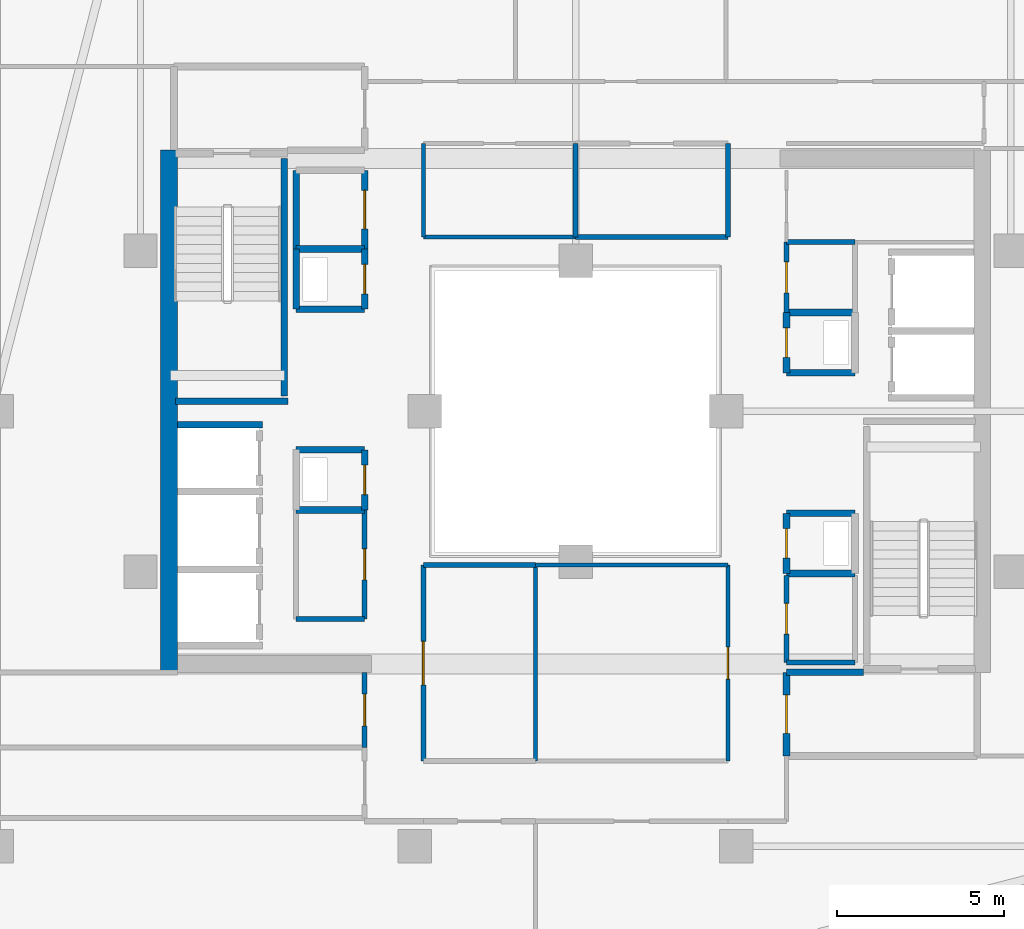
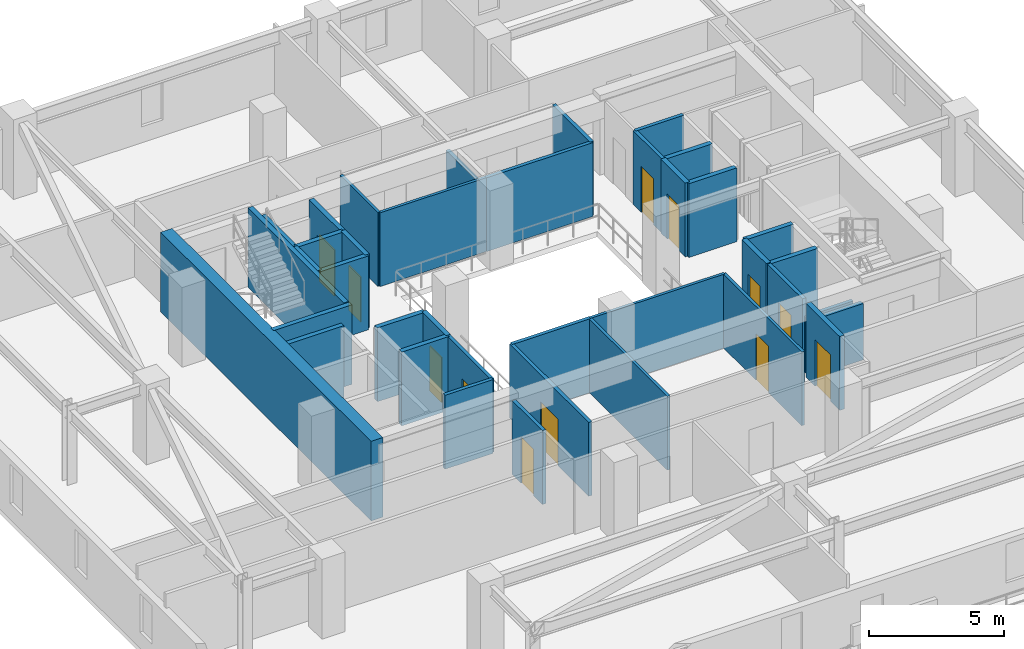
# One storey, part 24 of 33: 38 walls, 12 doors, 12 openings.
"""IFC4 building model written with IfcOpenShell, lengths in metres."""

import ifcopenshell
import ifcopenshell.guid

model = None  # the IFC model being written
_history = None  # IfcOwnerHistory: only IFC2X3 demands one
_inside = {}  # id of a spatial element -> (the spatial element, [elements in it])
_under = {}  # id of a project, library or spatial element -> (it, [spatial elements below it])
_declared = {}  # id of a project -> (the project, [libraries it declares])
_typed = {}  # id of a type object -> (the type object, [elements of that type])
_made_of = {}  # id of a material, layer set ... -> (it, [elements and type objects made of it])


def new_model(schema):
    """Start an empty IFC model of exactly this schema.

    Asked for "IFC4X3", IfcOpenShell would pick the latest addendum, in which some entities
    have other attributes; the version numbers below select the first issue.
    IFC2X3 requires an IfcOwnerHistory on every rooted entity: one is made here for all.
    """
    global model, _history
    if schema == "IFC4X3":
        model = ifcopenshell.file(schema_version=(4, 3, 0, 0))
    else:
        model = ifcopenshell.file(schema=schema)
    _inside.clear()
    _under.clear()
    _declared.clear()
    _typed.clear()
    _made_of.clear()
    _history = None
    if model.schema == "IFC2X3":
        org = make("IfcOrganization", Name="unknown")
        user = make(
            "IfcPersonAndOrganization",
            ThePerson=make("IfcPerson", FamilyName="unknown"),
            TheOrganization=org,
        )
        app = make(
            "IfcApplication",
            ApplicationDeveloper=org,
            Version="unknown",
            ApplicationFullName="unknown",
            ApplicationIdentifier="unknown",
        )
        _history = make(
            "IfcOwnerHistory",
            OwningUser=user,
            OwningApplication=app,
            ChangeAction="ADDED",
            CreationDate=0,
        )
    return model


def make(cls, **values):
    """One entity of the class cls with the attributes given. An attribute that is None is left unset."""
    return model.create_entity(
        cls, **{name: value for name, value in values.items() if value is not None}
    )


def rooted(cls, **values):
    """An entity with a GlobalId (a new one), such as an element, a storey or a relation."""
    return make(cls, GlobalId=ifcopenshell.guid.new(), OwnerHistory=_history, **values)


def si_unit(unit_type, name, prefix=None):
    """IfcSIUnit, for example si_unit("LENGTHUNIT", "METRE", prefix="MILLI")."""
    return make("IfcSIUnit", UnitType=unit_type, Prefix=prefix, Name=name)


def assignment(units):
    """IfcUnitAssignment: the units of a project."""
    return None if units is None else make("IfcUnitAssignment", Units=units)


def point(xyz):
    """IfcCartesianPoint."""
    return None if xyz is None else make("IfcCartesianPoint", Coordinates=xyz)


def direction(xyz):
    """IfcDirection."""
    return None if xyz is None else make("IfcDirection", DirectionRatios=xyz)


def frame(location, z_axis=None, x_axis=None):
    """IfcAxis2Placement3D, a coordinate frame: its origin and axes. An axis left out is left unset."""
    return make(
        "IfcAxis2Placement3D",
        Location=point(location),
        Axis=direction(z_axis),
        RefDirection=direction(x_axis),
    )


def frame_2d(location, x_axis=None):
    """IfcAxis2Placement2D, a coordinate frame in the plane: its origin and x axis."""
    return make(
        "IfcAxis2Placement2D", Location=point(location), RefDirection=direction(x_axis)
    )


def origin():
    """The frame at (0, 0, 0) with its axes left unset."""
    return frame((0.0, 0.0, 0.0))


def place(relative_to, where):
    """IfcLocalPlacement: puts the frame where relative to a parent placement (None: the world)."""
    return make(
        "IfcLocalPlacement", PlacementRelTo=relative_to, RelativePlacement=where
    )


def context(
    kind, dimensions, precision=None, world=None, true_north=None, identifier=None
):
    """IfcGeometricRepresentationContext, for example the 3D "Model" context."""
    return make(
        "IfcGeometricRepresentationContext",
        ContextIdentifier=identifier,
        ContextType=kind,
        CoordinateSpaceDimension=dimensions,
        Precision=precision,
        WorldCoordinateSystem=world,
        TrueNorth=true_north,
    )


def subcontext(parent, identifier, kind, view, scale=None):
    """IfcGeometricRepresentationSubContext, for example "Body" below "Model"."""
    return make(
        "IfcGeometricRepresentationSubContext",
        ContextIdentifier=identifier,
        ContextType=kind,
        ParentContext=parent,
        TargetScale=scale,
        TargetView=view,
    )


def project(units=None, contexts=None):
    """IfcProject with its units and contexts."""
    return rooted(
        "IfcProject",
        Name="project",
        RepresentationContexts=contexts,
        UnitsInContext=assignment(units),
    )


def spatial(cls, under=None, at=None, **own):
    """A site, building, storey or space (cls), placed at a placement, below another one or the project."""
    s = rooted(cls, ObjectPlacement=at, **own)
    if under is not None:
        _under.setdefault(under.id(), (under, []))[1].append(s)
    return s


def profile(cls, at=None, kind="AREA", **sizes):
    """A parametric profile (cls). Its sizes go by their IFC names, for example OverallWidth=200.0."""
    return make(cls, ProfileType=kind, Position=at, **sizes)


def rectangle(**sizes):
    """IfcRectangleProfileDef."""
    return profile("IfcRectangleProfileDef", **sizes)


def extrude(swept, where, along, depth):
    """IfcExtrudedAreaSolid: the profile swept, set in the frame where, extruded along a direction by depth."""
    return make(
        "IfcExtrudedAreaSolid",
        SweptArea=swept,
        Position=where,
        ExtrudedDirection=direction(along),
        Depth=depth,
    )


def shape(context_of_items, identifier, shape_type, items):
    """IfcShapeRepresentation: the items that make up one representation, for example the "Body"."""
    return make(
        "IfcShapeRepresentation",
        ContextOfItems=context_of_items,
        RepresentationIdentifier=identifier,
        RepresentationType=shape_type,
        Items=items,
    )


def material(Name=None, Category=None):
    """IfcMaterial."""
    return make("IfcMaterial", Name=Name, Category=Category)


def layer(
    of_material, thickness, ventilated=None, Name=None, Category=None, Priority=None
):
    """IfcMaterialLayer: one layer of a wall or slab, of a material (None: an air gap)."""
    return make(
        "IfcMaterialLayer",
        Material=of_material,
        LayerThickness=thickness,
        IsVentilated=ventilated,
        Name=Name,
        Category=Category,
        Priority=Priority,
    )


def layer_set(layers, Name=None):
    """IfcMaterialLayerSet."""
    return make("IfcMaterialLayerSet", MaterialLayers=layers, LayerSetName=Name)


def made_of(thing, what):
    """Note that an element or type object is made of a material, layer set ...; save() writes the relation."""
    if what is not None:
        _made_of.setdefault(what.id(), (what, []))[1].append(thing)
    return thing


def type_object(cls, material=None, **own):
    """A type object (cls), such as IfcWallType, which elements share."""
    return made_of(rooted(cls, **own), material)


def element(
    cls,
    number,
    at=None,
    inside=None,
    cuts=None,
    type_object=None,
    material=None,
    context=None,
    identifier="Body",
    shape_type=None,
    held_by="IfcProductDefinitionShape",
    body=None,
    shapes=None,
    **own,
):
    """One element of the class cls, such as IfcWall. Its Tag is "e" and its number.

    at: its placement. inside: the storey or other place that contains it. cuts: it is an
    opening in that element (IfcRelVoidsElement). A single representation is given by context,
    identifier, shape_type and body (its items); several are given by shapes. held_by: the class
    of the entity that holds the representations. save() writes the other relations.
    """
    e = rooted(cls, Tag="e%d" % number, ObjectPlacement=at, **own)
    if body is not None:
        shapes = [shape(context, identifier, shape_type, body)]
    if shapes is not None:
        e.Representation = make(held_by, Representations=shapes)
    if inside is not None:
        _inside.setdefault(inside.id(), (inside, []))[1].append(e)
    if cuts is not None:
        rooted(
            "IfcRelVoidsElement", RelatingBuildingElement=cuts, RelatedOpeningElement=e
        )
    if type_object is not None:
        _typed.setdefault(type_object.id(), (type_object, []))[1].append(e)
    return made_of(e, material)


def fill(opening, filler):
    """IfcRelFillsElement: the door or window that sits in an opening."""
    return rooted(
        "IfcRelFillsElement",
        RelatingOpeningElement=opening,
        RelatedBuildingElement=filler,
    )


def aggregate(whole, parts):
    """IfcRelAggregates: a whole, such as a stair, and the parts it consists of."""
    return rooted("IfcRelAggregates", RelatingObject=whole, RelatedObjects=parts)


def save(model, path):
    """Write the relations noted so far, then the file.

    IfcRelAggregates (storeys below a building ...), IfcRelContainedInSpatialStructure (elements
    in a storey), IfcRelDefinesByType, IfcRelAssociatesMaterial and IfcRelDeclares: one each for
    every whole, place, type object, material and project.
    """
    for whole, parts in _under.values():
        aggregate(whole, parts)
    for where, things in _inside.values():
        rooted(
            "IfcRelContainedInSpatialStructure",
            RelatedElements=things,
            RelatingStructure=where,
        )
    for kind, things in _typed.values():
        rooted("IfcRelDefinesByType", RelatedObjects=things, RelatingType=kind)
    for what, things in _made_of.values():
        rooted("IfcRelAssociatesMaterial", RelatedObjects=things, RelatingMaterial=what)
    for by, libraries in _declared.values():
        rooted("IfcRelDeclares", RelatingContext=by, RelatedDefinitions=libraries)
    model.write(path)


model = new_model("IFC4")

# Units and contexts
model_context = context("Model", 3, precision=1e-05, world=origin(), true_north=direction((0.0, 1.0)))
body_context = subcontext(model_context, "Body", "Model", "MODEL_VIEW")
ifc_project = project(units=[si_unit("LENGTHUNIT", "METRE"), si_unit("AREAUNIT", "SQUARE_METRE"), si_unit("VOLUMEUNIT", "CUBIC_METRE"), si_unit("PLANEANGLEUNIT", "RADIAN"), si_unit("MASSUNIT", "GRAM", prefix="KILO")], contexts=[model_context])

# Site, building, storey
site_placement = place(None, origin())
site = spatial("IfcSite", under=ifc_project, at=site_placement, CompositionType="ELEMENT")
building_placement = place(site_placement, origin())
building = spatial("IfcBuilding", under=site, at=building_placement, Name="Thornwick Lancets Civic Towers", CompositionType="ELEMENT")
storey_placement = place(building_placement, frame((0.0, 0.0, 210.89990234375)))
storey = spatial("IfcBuildingStorey", under=building, at=storey_placement, Name="L56", CompositionType="ELEMENT", Elevation=210.89990234375)

# Walls
ifc_material_1 = material(Name="Concrete blockwork C40/50", Category="masonry")
ifc_layer_1 = layer(ifc_material_1, 0.199951171875, Name="Concrete blockwork C40/50")
ifc_layer_set_1 = layer_set([ifc_layer_1], Name="Concrete blockwork C40/50")
wall_type_1 = type_object("IfcWallType", Name="WALL_COMP_200", PredefinedType="STANDARD", material=ifc_layer_set_1)
wall_1_placement = place(storey_placement, frame((76.612060546875, 26.60009765625, 0.0), z_axis=(0.0, 0.0, 1.0), x_axis=(1.0, 0.0, 0.0)))
element("IfcWall", 1, at=wall_1_placement, inside=storey, type_object=wall_type_1, Name="L56 Hoistway Shaft Wall FL-B2 N", PredefinedType="STANDARD", context=body_context, shape_type="SweptSolid", body=[
    extrude(rectangle(XDim=2.535888671875, YDim=0.199951171875, at=frame_2d((1.26806640625, 0.0))), origin(), (0.0, 0.0, 1.0), 3.340087890625),
])
wall_2_placement = place(storey_placement, frame((97.10009765625, 19.199951171875, 0.0), z_axis=(0.0, 0.0, 1.0), x_axis=(-1.0, 0.0, 0.0)))
element("IfcWall", 2, at=wall_2_placement, inside=storey, type_object=wall_type_1, Name="L56 Partition L56-B-FFLOB1 E3", PredefinedType="STANDARD", context=body_context, shape_type="SweptSolid", body=[
    extrude(rectangle(XDim=2.300048828125, YDim=0.199951171875, at=frame_2d((1.14990234375, 0.0))), origin(), (0.0, 0.0, 1.0), 2.545166015625),
])

# Wall, opening, door
wall_3_placement = place(storey_placement, frame((94.800048828125, 19.199951171875, 0.0), z_axis=(0.0, 0.0, 1.0), x_axis=(0.0, -1.0, 0.0)))
wall_3 = element("IfcWall", 3, at=wall_3_placement, inside=storey, type_object=wall_type_1, Name="L56 Partition L56-B-FFLOB1 E4", PredefinedType="STANDARD", context=body_context, shape_type="SweptSolid", body=[
    extrude(rectangle(XDim=2.5, YDim=0.199951171875, at=frame_2d((1.25, 0.0))), origin(), (0.0, 0.0, 1.0), 3.340087890625),
])
opening_1_placement = place(wall_3_placement, frame((0.675048828125, 0.0, 0.0)))
opening_1 = element("IfcOpeningElement", 4, at=opening_1_placement, cuts=wall_3, Name="Opening D-L56-2490", PredefinedType="OPENING", context=body_context, shape_type="SweptSolid", body=[
    extrude(rectangle(XDim=1.14990234375, YDim=2.10009765625, at=frame_2d((0.574951171875, 1.050048828125))), frame((0.0, 0.10986328125, 0.0), z_axis=(0.0, -1.0, 0.0), x_axis=(1.0, 0.0, 0.0)), (0.0, 0.0, 1.0), 0.219970703125),
])
ifc_material_2 = material(Name="Glazed fire-resisting steel", Category="steel")
door_type_1 = type_object("IfcDoorType", Name="DOOR_LOBBY_FD60", OperationType="NOTDEFINED", PredefinedType="DOOR", material=ifc_material_2)
door_1_placement = place(opening_1_placement, origin())
door_1 = element("IfcDoor", 5, at=door_1_placement, inside=storey, type_object=door_type_1, Name="L56 East Firefighting Lobby 1 Door", OperationType="SINGLE_SWING_LEFT", OverallHeight=2.10009765625, OverallWidth=1.14990234375, PredefinedType="DOOR", context=body_context, shape_type="SweptSolid", body=[
    extrude(rectangle(XDim=1.14990234375, YDim=2.10009765625, at=frame_2d((0.574951171875, 1.050048828125))), frame((0.0, 0.02490234375, 0.0), z_axis=(0.0, -1.0, 0.0), x_axis=(1.0, 0.0, 0.0)), (0.0, 0.0, 1.0), 0.050048828125),
])
fill(opening_1, door_1)

# Walls
for number, where, z_axis, x_axis, name in (
    (6, (94.800048828125, 28.14990234375, 0.0), (0.0, 0.0, 1.0), (1.0, 0.0, 0.0), "L56 Partition L56-B-DUCT1 E1"),
    (7, (96.85009765625, 29.949951171875, 0.0), (0.0, 0.0, 1.0), (-1.0, 0.0, 0.0), "L56 Partition L56-B-DUCT1 E3"),
):
    element("IfcWall", number, at=place(storey_placement, frame(where, z_axis=z_axis, x_axis=x_axis)), inside=storey, type_object=wall_type_1, Name=name, PredefinedType="STANDARD", context=body_context, shape_type="SweptSolid", body=[
        extrude(rectangle(XDim=2.050048828125, YDim=0.199951171875, at=frame_2d((1.02490234375, 0.0))), origin(), (0.0, 0.0, 1.0), 3.340087890625),
    ])

# Wall, opening, door
wall_4_placement = place(storey_placement, frame((94.800048828125, 29.949951171875, 0.0), z_axis=(0.0, 0.0, 1.0), x_axis=(0.0, -1.0, 0.0)))
wall_4 = element("IfcWall", 8, at=wall_4_placement, inside=storey, type_object=wall_type_1, Name="L56 Partition L56-B-DUCT1 E4", PredefinedType="STANDARD", context=body_context, shape_type="SweptSolid", body=[
    extrude(rectangle(XDim=1.800048828125, YDim=0.199951171875, at=frame_2d((0.89990234375, 0.0))), origin(), (0.0, 0.0, 1.0), 3.340087890625),
])
opening_2_placement = place(wall_4_placement, frame((0.4599609375, 0.0, 0.0)))
opening_2 = element("IfcOpeningElement", 9, at=opening_2_placement, cuts=wall_4, Name="Opening D-L56-2492", PredefinedType="OPENING", context=body_context, shape_type="SweptSolid", body=[
    extrude(rectangle(XDim=0.8798828125, YDim=2.0400390625, at=frame_2d((0.43994140625, 1.02001953125))), frame((0.0, 0.10986328125, 0.0), z_axis=(0.0, -1.0, 0.0), x_axis=(1.0, 0.0, 0.0)), (0.0, 0.0, 1.0), 0.219970703125),
])
ifc_material_3 = material(Name="Steel riser access doorset", Category="steel")
door_type_2 = type_object("IfcDoorType", Name="DOOR_RISER_850", OperationType="NOTDEFINED", PredefinedType="DOOR", material=ifc_material_3)
door_2_placement = place(opening_2_placement, origin())
door_2 = element("IfcDoor", 10, at=door_2_placement, inside=storey, type_object=door_type_2, Name="L56 East Service Duct 1 Door", OperationType="SINGLE_SWING_LEFT", OverallHeight=2.0400390625, OverallWidth=0.8798828125, PredefinedType="DOOR", context=body_context, shape_type="SweptSolid", body=[
    extrude(rectangle(XDim=0.8798828125, YDim=2.0400390625, at=frame_2d((0.43994140625, 1.02001953125))), frame((0.0, 0.02490234375, 0.0), z_axis=(0.0, -1.0, 0.0), x_axis=(1.0, 0.0, 0.0)), (0.0, 0.0, 1.0), 0.050048828125),
])
fill(opening_2, door_2)

# Walls
for number, where, z_axis, x_axis, name in (
    (11, (94.800048828125, 22.14990234375, 0.0), (0.0, 0.0, 1.0), (1.0, 0.0, 0.0), "L56 Partition L56-B-RISER1 E1"),
    (12, (96.85009765625, 23.949951171875, 0.0), (0.0, 0.0, 1.0), (-1.0, 0.0, 0.0), "L56 Partition L56-B-RISER1 E3"),
):
    element("IfcWall", number, at=place(storey_placement, frame(where, z_axis=z_axis, x_axis=x_axis)), inside=storey, type_object=wall_type_1, Name=name, PredefinedType="STANDARD", context=body_context, shape_type="SweptSolid", body=[
        extrude(rectangle(XDim=2.050048828125, YDim=0.199951171875, at=frame_2d((1.02490234375, 0.0))), origin(), (0.0, 0.0, 1.0), 3.340087890625),
    ])

# Wall, opening, door
wall_5_placement = place(storey_placement, frame((94.800048828125, 23.949951171875, 0.0), z_axis=(0.0, 0.0, 1.0), x_axis=(0.0, -1.0, 0.0)))
wall_5 = element("IfcWall", 13, at=wall_5_placement, inside=storey, type_object=wall_type_1, Name="L56 Partition L56-B-RISER1 E4", PredefinedType="STANDARD", context=body_context, shape_type="SweptSolid", body=[
    extrude(rectangle(XDim=1.800048828125, YDim=0.199951171875, at=frame_2d((0.89990234375, 0.0))), origin(), (0.0, 0.0, 1.0), 3.340087890625),
])
opening_3_placement = place(wall_5_placement, frame((0.4599609375, 0.0, 0.0)))
opening_3 = element("IfcOpeningElement", 14, at=opening_3_placement, cuts=wall_5, Name="Opening D-L56-2493", PredefinedType="OPENING", context=body_context, shape_type="SweptSolid", body=[
    extrude(rectangle(XDim=0.8798828125, YDim=2.0400390625, at=frame_2d((0.43994140625, 1.02001953125))), frame((0.0, 0.10986328125, 0.0), z_axis=(0.0, -1.0, 0.0), x_axis=(1.0, 0.0, 0.0)), (0.0, 0.0, 1.0), 0.219970703125),
])
door_3_placement = place(opening_3_placement, origin())
door_3 = element("IfcDoor", 15, at=door_3_placement, inside=storey, type_object=door_type_2, Name="L56 East Electrical Riser 1 Door", OperationType="SINGLE_SWING_RIGHT", OverallHeight=2.0400390625, OverallWidth=0.8798828125, PredefinedType="DOOR", context=body_context, shape_type="SweptSolid", body=[
    extrude(rectangle(XDim=0.8798828125, YDim=2.0400390625, at=frame_2d((0.43994140625, 1.02001953125))), frame((0.0, 0.02490234375, 0.0), z_axis=(0.0, -1.0, 0.0), x_axis=(1.0, 0.0, 0.0)), (0.0, 0.0, 1.0), 0.050048828125),
])
fill(opening_3, door_3)

# Wall
wall_6_placement = place(storey_placement, frame((80.14990234375, 24.050048828125, 0.0), z_axis=(0.0, 0.0, 1.0), x_axis=(1.0, 0.0, 0.0)))
element("IfcWall", 16, at=wall_6_placement, inside=storey, type_object=wall_type_1, Name="L56 Partition L56-B-DUCT2 E1", PredefinedType="STANDARD", context=body_context, shape_type="SweptSolid", body=[
    extrude(rectangle(XDim=2.050048828125, YDim=0.199951171875, at=frame_2d((1.02490234375, 0.0))), origin(), (0.0, 0.0, 1.0), 3.340087890625),
])

# Wall, opening, door
wall_7_placement = place(storey_placement, frame((82.199951171875, 24.050048828125, 0.0), z_axis=(0.0, 0.0, 1.0), x_axis=(0.0, 1.0, 0.0)))
wall_7 = element("IfcWall", 17, at=wall_7_placement, inside=storey, type_object=wall_type_1, Name="L56 Partition L56-B-DUCT2 E2", PredefinedType="STANDARD", context=body_context, shape_type="SweptSolid", body=[
    extrude(rectangle(XDim=1.800048828125, YDim=0.199951171875, at=frame_2d((0.89990234375, 0.0))), origin(), (0.0, 0.0, 1.0), 3.340087890625),
])
opening_4_placement = place(wall_7_placement, frame((0.4599609375, 0.0, 0.0)))
opening_4 = element("IfcOpeningElement", 18, at=opening_4_placement, cuts=wall_7, Name="Opening D-L56-2494", PredefinedType="OPENING", context=body_context, shape_type="SweptSolid", body=[
    extrude(rectangle(XDim=0.8798828125, YDim=2.0400390625, at=frame_2d((0.43994140625, 1.02001953125))), frame((0.0, 0.10986328125, 0.0), z_axis=(0.0, -1.0, 0.0), x_axis=(1.0, 0.0, 0.0)), (0.0, 0.0, 1.0), 0.219970703125),
])
door_4_placement = place(opening_4_placement, origin())
door_4 = element("IfcDoor", 19, at=door_4_placement, inside=storey, type_object=door_type_2, Name="L56 West Service Duct 2 Door", OperationType="SINGLE_SWING_LEFT", OverallHeight=2.0400390625, OverallWidth=0.8798828125, PredefinedType="DOOR", context=body_context, shape_type="SweptSolid", body=[
    extrude(rectangle(XDim=0.8798828125, YDim=2.0400390625, at=frame_2d((0.43994140625, 1.02001953125))), frame((0.0, 0.02490234375, 0.0), z_axis=(0.0, -1.0, 0.0), x_axis=(1.0, 0.0, 0.0)), (0.0, 0.0, 1.0), 0.050048828125),
])
fill(opening_4, door_4)

# Walls
for number, where, z_axis, x_axis, name in (
    (20, (82.199951171875, 25.85009765625, 0.0), (0.0, 0.0, 1.0), (-1.0, 0.0, 0.0), "L56 Partition L56-B-DUCT2 E3"),
    (21, (80.14990234375, 30.050048828125, 0.0), (0.0, 0.0, 1.0), (1.0, 0.0, 0.0), "L56 Partition L56-B-RISER2 E1"),
):
    element("IfcWall", number, at=place(storey_placement, frame(where, z_axis=z_axis, x_axis=x_axis)), inside=storey, type_object=wall_type_1, Name=name, PredefinedType="STANDARD", context=body_context, shape_type="SweptSolid", body=[
        extrude(rectangle(XDim=2.050048828125, YDim=0.199951171875, at=frame_2d((1.02490234375, 0.0))), origin(), (0.0, 0.0, 1.0), 3.340087890625),
    ])

# Wall, opening, door
wall_8_placement = place(storey_placement, frame((82.199951171875, 30.050048828125, 0.0), z_axis=(0.0, 0.0, 1.0), x_axis=(0.0, 1.0, 0.0)))
wall_8 = element("IfcWall", 22, at=wall_8_placement, inside=storey, type_object=wall_type_1, Name="L56 Partition L56-B-RISER2 E2", PredefinedType="STANDARD", context=body_context, shape_type="SweptSolid", body=[
    extrude(rectangle(XDim=1.800048828125, YDim=0.199951171875, at=frame_2d((0.89990234375, 0.0))), origin(), (0.0, 0.0, 1.0), 3.340087890625),
])
opening_5_placement = place(wall_8_placement, frame((0.4599609375, 0.0, 0.0)))
opening_5 = element("IfcOpeningElement", 23, at=opening_5_placement, cuts=wall_8, Name="Opening D-L56-2495", PredefinedType="OPENING", context=body_context, shape_type="SweptSolid", body=[
    extrude(rectangle(XDim=0.8798828125, YDim=2.0400390625, at=frame_2d((0.43994140625, 1.02001953125))), frame((0.0, 0.10986328125, 0.0), z_axis=(0.0, -1.0, 0.0), x_axis=(1.0, 0.0, 0.0)), (0.0, 0.0, 1.0), 0.219970703125),
])
door_5_placement = place(opening_5_placement, origin())
door_5 = element("IfcDoor", 24, at=door_5_placement, inside=storey, type_object=door_type_2, Name="L56 West Service Riser 2 Door", OperationType="SINGLE_SWING_RIGHT", OverallHeight=2.0400390625, OverallWidth=0.8798828125, PredefinedType="DOOR", context=body_context, shape_type="SweptSolid", body=[
    extrude(rectangle(XDim=0.8798828125, YDim=2.0400390625, at=frame_2d((0.43994140625, 1.02001953125))), frame((0.0, 0.02490234375, 0.0), z_axis=(0.0, -1.0, 0.0), x_axis=(1.0, 0.0, 0.0)), (0.0, 0.0, 1.0), 0.050048828125),
])
fill(opening_5, door_5)

# Walls
wall_9_placement = place(storey_placement, frame((82.199951171875, 31.85009765625, 0.0), z_axis=(0.0, 0.0, 1.0), x_axis=(-1.0, 0.0, 0.0)))
element("IfcWall", 25, at=wall_9_placement, inside=storey, type_object=wall_type_1, Name="L56 Partition L56-B-RISER2 E3", PredefinedType="STANDARD", context=body_context, shape_type="SweptSolid", body=[
    extrude(rectangle(XDim=2.050048828125, YDim=0.199951171875, at=frame_2d((1.02490234375, 0.0))), origin(), (0.0, 0.0, 1.0), 3.340087890625),
])
wall_10_placement = place(storey_placement, frame((80.14990234375, 31.85009765625, 0.0), z_axis=(0.0, 0.0, 1.0), x_axis=(0.0, -1.0, 0.0)))
element("IfcWall", 26, at=wall_10_placement, inside=storey, type_object=wall_type_1, Name="L56 Partition L56-B-RISER2 E4", PredefinedType="STANDARD", context=body_context, shape_type="SweptSolid", body=[
    extrude(rectangle(XDim=1.800048828125, YDim=0.199951171875, at=frame_2d((0.89990234375, 0.0))), origin(), (0.0, 0.0, 1.0), 3.340087890625),
])
wall_11_placement = place(storey_placement, frame((80.14990234375, 31.85009765625, 0.0), z_axis=(0.0, 0.0, 1.0), x_axis=(0.0, 1.0, 0.0)))
element("IfcWall", 27, at=wall_11_placement, inside=storey, type_object=wall_type_1, Name="L56 Partition L56-B-STR E1", PredefinedType="STANDARD", context=body_context, shape_type="SweptSolid", body=[
    extrude(rectangle(XDim=2.349853515625, YDim=0.199951171875, at=frame_2d((1.1748046875, 0.0))), origin(), (0.0, 0.0, 1.0), 3.340087890625),
])

# Wall, opening, door
wall_12_placement = place(storey_placement, frame((82.199951171875, 34.199951171875, 0.0), z_axis=(0.0, 0.0, 1.0), x_axis=(0.0, -1.0, 0.0)))
wall_12 = element("IfcWall", 28, at=wall_12_placement, inside=storey, type_object=wall_type_1, Name="L56 Partition L56-B-STR E3", PredefinedType="STANDARD", context=body_context, shape_type="SweptSolid", body=[
    extrude(rectangle(XDim=2.349853515625, YDim=0.199951171875, at=frame_2d((1.1748046875, 0.0))), origin(), (0.0, 0.0, 1.0), 3.340087890625),
])
opening_6_placement = place(wall_12_placement, frame((0.60009765625, 0.0, 0.0)))
opening_6 = element("IfcOpeningElement", 29, at=opening_6_placement, cuts=wall_12, Name="Opening D-L56-2500", PredefinedType="OPENING", context=body_context, shape_type="SweptSolid", body=[
    extrude(rectangle(XDim=1.14990234375, YDim=2.10009765625, at=frame_2d((0.574951171875, 1.050048828125))), frame((0.0, 0.10986328125, 0.0), z_axis=(0.0, -1.0, 0.0), x_axis=(1.0, 0.0, 0.0)), (0.0, 0.0, 1.0), 0.219970703125),
])
door_6_placement = place(opening_6_placement, origin())
door_6 = element("IfcDoor", 30, at=door_6_placement, inside=storey, type_object=door_type_1, Name="L56 Tower B Core Equipment Store Door", OperationType="SINGLE_SWING_LEFT", OverallHeight=2.10009765625, OverallWidth=1.14990234375, PredefinedType="DOOR", context=body_context, shape_type="SweptSolid", body=[
    extrude(rectangle(XDim=1.14990234375, YDim=2.10009765625, at=frame_2d((0.574951171875, 1.050048828125))), frame((0.0, 0.02490234375, 0.0), z_axis=(0.0, -1.0, 0.0), x_axis=(1.0, 0.0, 0.0)), (0.0, 0.0, 1.0), 0.050048828125),
])
fill(opening_6, door_6)

# Walls
ifc_material_4 = material(Name="Concrete C50/60", Category="concrete")
ifc_layer_2 = layer(ifc_material_4, 0.5, Name="Concrete C50/60")
ifc_layer_set_2 = layer_set([ifc_layer_2], Name="Concrete C50/60")
wall_type_2 = type_object("IfcWallType", Name="WALL_CORE_500", PredefinedType="SHEAR", material=ifc_layer_set_2)
wall_13_placement = place(storey_placement, frame((76.35009765625, 19.199951171875, 0.0), z_axis=(0.0, 0.0, 1.0), x_axis=(0.0, 1.0, 0.0)))
element("IfcWall", 31, at=wall_13_placement, inside=storey, type_object=wall_type_2, Name="L56 Split Core B2 Shear Wall W", PredefinedType="SHEAR", context=body_context, shape_type="SweptSolid", body=[
    extrude(rectangle(XDim=15.60009765625, YDim=0.5, at=frame_2d((7.800048828125, 0.0))), origin(), (0.0, 0.0, 1.0), 3.60009765625),
])
ifc_material_5 = material(Name="Acoustic gypsum board partition")
ifc_layer_3 = layer(ifc_material_5, 0.1201171875, Name="Acoustic gypsum board partition")
ifc_layer_set_3 = layer_set([ifc_layer_3], Name="Acoustic gypsum board partition")
wall_type_3 = type_object("IfcWallType", Name="WALL_PART_120", PredefinedType="PARTITIONING", material=ifc_layer_set_3)
wall_14_placement = place(storey_placement, frame((87.300048828125, 16.550048828125, 0.0), z_axis=(0.0, 0.0, 1.0), x_axis=(0.0, 1.0, 0.0)))
element("IfcWall", 32, at=wall_14_placement, inside=storey, type_object=wall_type_3, Name="L56 Partition L56-B-W3 E1", PredefinedType="PARTITIONING", context=body_context, shape_type="SweptSolid", body=[
    extrude(rectangle(XDim=5.849853515625, YDim=0.1201171875, at=frame_2d((2.9248046875, 0.0))), origin(), (0.0, 0.0, 1.0), 3.340087890625),
])
wall_15_placement = place(storey_placement, frame((87.300048828125, 22.39990234375, 0.0), z_axis=(0.0, 0.0, 1.0), x_axis=(1.0, 0.0, 0.0)))
element("IfcWall", 33, at=wall_15_placement, inside=storey, type_object=wall_type_3, Name="L56 Partition L56-B-W3 E2", PredefinedType="PARTITIONING", context=body_context, shape_type="SweptSolid", body=[
    extrude(rectangle(XDim=5.75, YDim=0.1201171875, at=frame_2d((2.875, 0.0))), origin(), (0.0, 0.0, 1.0), 3.340087890625),
])

# Wall, opening, door
wall_16_placement = place(storey_placement, frame((93.050048828125, 22.39990234375, 0.0), z_axis=(0.0, 0.0, 1.0), x_axis=(0.0, -1.0, 0.0)))
wall_16 = element("IfcWall", 34, at=wall_16_placement, inside=storey, type_object=wall_type_3, Name="L56 Partition L56-B-W3 E3", PredefinedType="PARTITIONING", context=body_context, shape_type="SweptSolid", body=[
    extrude(rectangle(XDim=5.849853515625, YDim=0.1201171875, at=frame_2d((2.9248046875, 0.0))), origin(), (0.0, 0.0, 1.0), 3.340087890625),
])
opening_7_placement = place(wall_16_placement, frame((2.449951171875, 0.0, 0.0)))
opening_7 = element("IfcOpeningElement", 35, at=opening_7_placement, cuts=wall_16, Name="Opening D-L56-2518", PredefinedType="OPENING", context=body_context, shape_type="SweptSolid", body=[
    extrude(rectangle(XDim=0.949951171875, YDim=2.10009765625, at=frame_2d((0.47509765625, 1.050048828125))), frame((0.0, 0.070068359375, 0.0), z_axis=(0.0, -1.0, 0.0), x_axis=(1.0, 0.0, 0.0)), (0.0, 0.0, 1.0), 0.14013671875),
])
ifc_material_6 = material(Name="European oak acoustic doorset")
door_type_3 = type_object("IfcDoorType", Name="DOOR_OFFICE_950", OperationType="NOTDEFINED", PredefinedType="DOOR", material=ifc_material_6)
door_7_placement = place(opening_7_placement, origin())
door_7 = element("IfcDoor", 36, at=door_7_placement, inside=storey, type_object=door_type_3, Name="L56 Tower B Staff Tea Pantry and Lounge Door", OperationType="SINGLE_SWING_LEFT", OverallHeight=2.10009765625, OverallWidth=0.949951171875, PredefinedType="DOOR", context=body_context, shape_type="SweptSolid", body=[
    extrude(rectangle(XDim=0.949951171875, YDim=2.10009765625, at=frame_2d((0.47509765625, 1.050048828125))), frame((0.0, 0.02490234375, 0.0), z_axis=(0.0, -1.0, 0.0), x_axis=(1.0, 0.0, 0.0)), (0.0, 0.0, 1.0), 0.050048828125),
])
fill(opening_7, door_7)

# Walls
wall_17_placement = place(storey_placement, frame((83.949951171875, 32.199951171875, 0.0), z_axis=(0.0, 0.0, 1.0), x_axis=(0.0, 1.0, 0.0)))
element("IfcWall", 37, at=wall_17_placement, inside=storey, type_object=wall_type_3, Name="L56 Partition L56-B-E-ATR-2 E1", PredefinedType="PARTITIONING", context=body_context, shape_type="SweptSolid", body=[
    extrude(rectangle(XDim=2.800048828125, YDim=0.1201171875, at=frame_2d((1.39990234375, 0.0))), origin(), (0.0, 0.0, 1.0), 3.340087890625),
])
wall_18_placement = place(storey_placement, frame((88.5, 32.199951171875, 0.0), z_axis=(0.0, 0.0, 1.0), x_axis=(-1.0, 0.0, 0.0)))
element("IfcWall", 38, at=wall_18_placement, inside=storey, type_object=wall_type_3, Name="L56 Partition L56-B-E-ATR-2 E4", PredefinedType="PARTITIONING", context=body_context, shape_type="SweptSolid", body=[
    extrude(rectangle(XDim=4.550048828125, YDim=0.1201171875, at=frame_2d((2.27490234375, 0.0))), origin(), (0.0, 0.0, 1.0), 3.340087890625),
])
ifc_material_7 = material(Name="Twin-stud acoustic gypsum board")
ifc_layer_4 = layer(ifc_material_7, 0.14990234375, Name="Twin-stud acoustic gypsum board")
ifc_layer_set_4 = layer_set([ifc_layer_4], Name="Twin-stud acoustic gypsum board")
wall_type_4 = type_object("IfcWallType", Name="WALL_PART_150", PredefinedType="PARTITIONING", material=ifc_layer_set_4)
wall_19_placement = place(storey_placement, frame((94.800048828125, 19.5, 0.0), z_axis=(0.0, 0.0, 1.0), x_axis=(1.0, 0.0, 0.0)))
element("IfcWall", 39, at=wall_19_placement, inside=storey, type_object=wall_type_4, Name="L56 Partition L56-B-AWC E1", PredefinedType="PARTITIONING", context=body_context, shape_type="SweptSolid", body=[
    extrude(rectangle(XDim=2.050048828125, YDim=0.14990234375, at=frame_2d((1.02490234375, 0.0))), origin(), (0.0, 0.0, 1.0), 2.545166015625),
])

# Wall, opening, door
wall_20_placement = place(storey_placement, frame((94.800048828125, 22.10009765625, 0.0), z_axis=(0.0, 0.0, 1.0), x_axis=(0.0, -1.0, 0.0)))
wall_20 = element("IfcWall", 40, at=wall_20_placement, inside=storey, type_object=wall_type_4, Name="L56 Partition L56-B-AWC E4", PredefinedType="PARTITIONING", context=body_context, shape_type="SweptSolid", body=[
    extrude(rectangle(XDim=2.60009765625, YDim=0.14990234375, at=frame_2d((1.300048828125, 0.0))), origin(), (0.0, 0.0, 1.0), 3.340087890625),
])
opening_8_placement = place(wall_20_placement, frame((0.840087890625, 0.0, 0.0)))
opening_8 = element("IfcOpeningElement", 41, at=opening_8_placement, cuts=wall_20, Name="Opening D-L56-2496", PredefinedType="OPENING", context=body_context, shape_type="SweptSolid", body=[
    extrude(rectangle(XDim=0.919921875, YDim=2.080078125, at=frame_2d((0.4599609375, 1.0400390625))), frame((0.0, 0.0849609375, 0.0), z_axis=(0.0, -1.0, 0.0), x_axis=(1.0, 0.0, 0.0)), (0.0, 0.0, 1.0), 0.169921875),
])
ifc_material_8 = material(Name="Moisture-resistant oak doorset")
door_type_4 = type_object("IfcDoorType", Name="DOOR_WC_900", OperationType="NOTDEFINED", PredefinedType="DOOR", material=ifc_material_8)
door_8_placement = place(opening_8_placement, origin())
door_8 = element("IfcDoor", 42, at=door_8_placement, inside=storey, type_object=door_type_4, Name="L56 Tower B Accessible WC Door", OperationType="SINGLE_SWING_LEFT", OverallHeight=2.080078125, OverallWidth=0.919921875, PredefinedType="DOOR", context=body_context, shape_type="SweptSolid", body=[
    extrude(rectangle(XDim=0.919921875, YDim=2.080078125, at=frame_2d((0.4599609375, 1.0400390625))), frame((0.0, 0.02490234375, 0.0), z_axis=(0.0, -1.0, 0.0), x_axis=(1.0, 0.0, 0.0)), (0.0, 0.0, 1.0), 0.050048828125),
])
fill(opening_8, door_8)

wall_21_placement = place(storey_placement, frame((94.800048828125, 29.949951171875, 0.0), z_axis=(0.0, 0.0, 1.0), x_axis=(0.0, 1.0, 0.0)))
wall_21 = element("IfcWall", 43, at=wall_21_placement, inside=storey, type_object=wall_type_4, Name="L56 Partition L56-B-MWC E1", PredefinedType="PARTITIONING", context=body_context, shape_type="SweptSolid", body=[
    extrude(rectangle(XDim=2.10009765625, YDim=0.14990234375, at=frame_2d((1.050048828125, 0.0))), origin(), (0.0, 0.0, 1.0), 3.340087890625),
])
opening_9_placement = place(wall_21_placement, frame((0.590087890625, 0.0, 0.0)))
opening_9 = element("IfcOpeningElement", 44, at=opening_9_placement, cuts=wall_21, Name="Opening D-L56-2497", PredefinedType="OPENING", context=body_context, shape_type="SweptSolid", body=[
    extrude(rectangle(XDim=0.919921875, YDim=2.080078125, at=frame_2d((0.4599609375, 1.0400390625))), frame((0.0, 0.0849609375, 0.0), z_axis=(0.0, -1.0, 0.0), x_axis=(1.0, 0.0, 0.0)), (0.0, 0.0, 1.0), 0.169921875),
])
door_9_placement = place(opening_9_placement, origin())
door_9 = element("IfcDoor", 45, at=door_9_placement, inside=storey, type_object=door_type_4, Name="L56 Tower B Male WC Door", OperationType="SINGLE_SWING_RIGHT", OverallHeight=2.080078125, OverallWidth=0.919921875, PredefinedType="DOOR", context=body_context, shape_type="SweptSolid", body=[
    extrude(rectangle(XDim=0.919921875, YDim=2.080078125, at=frame_2d((0.4599609375, 1.0400390625))), frame((0.0, 0.02490234375, 0.0), z_axis=(0.0, -1.0, 0.0), x_axis=(1.0, 0.0, 0.0)), (0.0, 0.0, 1.0), 0.050048828125),
])
fill(opening_9, door_9)

# Walls
for number, where, z_axis, x_axis, name in (
    (46, (94.800048828125, 32.050048828125, 0.0), (0.0, 0.0, 1.0), (1.0, 0.0, 0.0), "L56 Partition L56-B-MWC E2"),
    (47, (82.199951171875, 20.800048828125, 0.0), (0.0, 0.0, 1.0), (-1.0, 0.0, 0.0), "L56 Partition L56-B-FWC E1"),
):
    element("IfcWall", number, at=place(storey_placement, frame(where, z_axis=z_axis, x_axis=x_axis)), inside=storey, type_object=wall_type_4, Name=name, PredefinedType="PARTITIONING", context=body_context, shape_type="SweptSolid", body=[
        extrude(rectangle(XDim=2.050048828125, YDim=0.14990234375, at=frame_2d((1.02490234375, 0.0))), origin(), (0.0, 0.0, 1.0), 3.340087890625),
    ])

# Wall, opening, door
wall_22_placement = place(storey_placement, frame((82.199951171875, 24.050048828125, 0.0), z_axis=(0.0, 0.0, 1.0), x_axis=(0.0, -1.0, 0.0)))
wall_22 = element("IfcWall", 48, at=wall_22_placement, inside=storey, type_object=wall_type_4, Name="L56 Partition L56-B-FWC E4", PredefinedType="PARTITIONING", context=body_context, shape_type="SweptSolid", body=[
    extrude(rectangle(XDim=3.25, YDim=0.14990234375, at=frame_2d((1.625, 0.0))), origin(), (0.0, 0.0, 1.0), 3.340087890625),
])
opening_10_placement = place(wall_22_placement, frame((1.1650390625, 0.0, 0.0)))
opening_10 = element("IfcOpeningElement", 49, at=opening_10_placement, cuts=wall_22, Name="Opening D-L56-2499", PredefinedType="OPENING", context=body_context, shape_type="SweptSolid", body=[
    extrude(rectangle(XDim=0.919921875, YDim=2.080078125, at=frame_2d((0.4599609375, 1.0400390625))), frame((0.0, 0.0849609375, 0.0), z_axis=(0.0, -1.0, 0.0), x_axis=(1.0, 0.0, 0.0)), (0.0, 0.0, 1.0), 0.169921875),
])
door_10_placement = place(opening_10_placement, origin())
door_10 = element("IfcDoor", 50, at=door_10_placement, inside=storey, type_object=door_type_4, Name="L56 Tower B Female WC Door", OperationType="SINGLE_SWING_RIGHT", OverallHeight=2.080078125, OverallWidth=0.919921875, PredefinedType="DOOR", context=body_context, shape_type="SweptSolid", body=[
    extrude(rectangle(XDim=0.919921875, YDim=2.080078125, at=frame_2d((0.4599609375, 1.0400390625))), frame((0.0, 0.02490234375, 0.0), z_axis=(0.0, -1.0, 0.0), x_axis=(1.0, 0.0, 0.0)), (0.0, 0.0, 1.0), 0.050048828125),
])
fill(opening_10, door_10)

wall_23_placement = place(storey_placement, frame((82.199951171875, 19.199951171875, 0.0), z_axis=(0.0, 0.0, 1.0), x_axis=(0.0, -1.0, 0.0)))
wall_23 = element("IfcWall", 51, at=wall_23_placement, inside=storey, type_object=wall_type_4, Name="L56 Partition L56-B-RECLAIM-M2 E4", PredefinedType="PARTITIONING", context=body_context, shape_type="SweptSolid", body=[
    extrude(rectangle(XDim=2.25, YDim=0.14990234375, at=frame_2d((1.125, 0.0))), origin(), (0.0, 0.0, 1.0), 3.340087890625),
])
opening_11_placement = place(wall_23_placement, frame((0.64990234375, 0.0, 0.0)))
opening_11 = element("IfcOpeningElement", 52, at=opening_11_placement, cuts=wall_23, Name="Opening D-L56-2515", PredefinedType="OPENING", context=body_context, shape_type="SweptSolid", body=[
    extrude(rectangle(XDim=0.949951171875, YDim=2.10009765625, at=frame_2d((0.47509765625, 1.050048828125))), frame((0.0, 0.0849609375, 0.0), z_axis=(0.0, -1.0, 0.0), x_axis=(1.0, 0.0, 0.0)), (0.0, 0.0, 1.0), 0.169921875),
])
door_11_placement = place(opening_11_placement, origin())
door_11 = element("IfcDoor", 53, at=door_11_placement, inside=storey, type_object=door_type_3, Name="L56 Tower B Executive Records Archive Door", OperationType="SINGLE_SWING_RIGHT", OverallHeight=2.10009765625, OverallWidth=0.949951171875, PredefinedType="DOOR", context=body_context, shape_type="SweptSolid", body=[
    extrude(rectangle(XDim=0.949951171875, YDim=2.10009765625, at=frame_2d((0.47509765625, 1.050048828125))), frame((0.0, 0.02490234375, 0.0), z_axis=(0.0, -1.0, 0.0), x_axis=(1.0, 0.0, 0.0)), (0.0, 0.0, 1.0), 0.050048828125),
])
fill(opening_11, door_11)

wall_24_placement = place(storey_placement, frame((83.949951171875, 16.550048828125, 0.0), z_axis=(0.0, 0.0, 1.0), x_axis=(0.0, 1.0, 0.0)))
wall_24 = element("IfcWall", 54, at=wall_24_placement, inside=storey, type_object=wall_type_4, Name="L56 Partition L56-B-W4 E1", PredefinedType="PARTITIONING", context=body_context, shape_type="SweptSolid", body=[
    extrude(rectangle(XDim=5.849853515625, YDim=0.14990234375, at=frame_2d((2.9248046875, 0.0))), origin(), (0.0, 0.0, 1.0), 3.340087890625),
])
opening_12_placement = place(wall_24_placement, frame((2.27490234375, 0.0, 0.0)))
opening_12 = element("IfcOpeningElement", 55, at=opening_12_placement, cuts=wall_24, Name="Opening D-L56-2519", PredefinedType="OPENING", context=body_context, shape_type="SweptSolid", body=[
    extrude(rectangle(XDim=1.300048828125, YDim=2.1201171875, at=frame_2d((0.64990234375, 1.06005859375))), frame((0.0, 0.0849609375, 0.0), z_axis=(0.0, -1.0, 0.0), x_axis=(1.0, 0.0, 0.0)), (0.0, 0.0, 1.0), 0.169921875),
])
ifc_material_9 = material(Name="Acoustic oak leaf-and-a-half doorset")
door_type_5 = type_object("IfcDoorType", Name="DOOR_MEET_1300", OperationType="DOUBLE_DOOR_SINGLE_SWING", PredefinedType="DOOR", material=ifc_material_9)
door_12_placement = place(opening_12_placement, origin())
door_12 = element("IfcDoor", 56, at=door_12_placement, inside=storey, type_object=door_type_5, Name="L56 Tower B West Briefing Room W4 Door", OperationType="DOUBLE_DOOR_SINGLE_SWING", OverallHeight=2.1201171875, OverallWidth=1.300048828125, PredefinedType="DOOR", context=body_context, shape_type="SweptSolid", body=[
    extrude(rectangle(XDim=1.300048828125, YDim=2.1201171875, at=frame_2d((0.64990234375, 1.06005859375))), frame((0.0, 0.02490234375, 0.0), z_axis=(0.0, -1.0, 0.0), x_axis=(1.0, 0.0, 0.0)), (0.0, 0.0, 1.0), 0.050048828125),
])
fill(opening_12, door_12)

# Walls
wall_25_placement = place(storey_placement, frame((83.949951171875, 22.39990234375, 0.0), z_axis=(0.0, 0.0, 1.0), x_axis=(1.0, 0.0, 0.0)))
element("IfcWall", 57, at=wall_25_placement, inside=storey, type_object=wall_type_4, Name="L56 Partition L56-B-W4 E2", PredefinedType="PARTITIONING", context=body_context, shape_type="SweptSolid", body=[
    extrude(rectangle(XDim=3.35009765625, YDim=0.14990234375, at=frame_2d((1.675048828125, 0.0))), origin(), (0.0, 0.0, 1.0), 3.340087890625),
])
wall_26_placement = place(storey_placement, frame((88.5, 32.199951171875, 0.0), z_axis=(0.0, 0.0, 1.0), x_axis=(0.0, 1.0, 0.0)))
element("IfcWall", 58, at=wall_26_placement, inside=storey, type_object=wall_type_4, Name="L56 Partition L56-B-E-ATR-1 E1", PredefinedType="PARTITIONING", context=body_context, shape_type="SweptSolid", body=[
    extrude(rectangle(XDim=2.800048828125, YDim=0.14990234375, at=frame_2d((1.39990234375, 0.0))), origin(), (0.0, 0.0, 1.0), 2.8779296875),
])
wall_27_placement = place(storey_placement, frame((93.050048828125, 35.0, 0.0), z_axis=(0.0, 0.0, 1.0), x_axis=(0.0, -1.0, 0.0)))
element("IfcWall", 59, at=wall_27_placement, inside=storey, type_object=wall_type_4, Name="L56 Partition L56-B-E-ATR-1 E3", PredefinedType="PARTITIONING", context=body_context, shape_type="SweptSolid", body=[
    extrude(rectangle(XDim=2.800048828125, YDim=0.14990234375, at=frame_2d((1.39990234375, 0.0))), origin(), (0.0, 0.0, 1.0), 3.340087890625),
])
wall_28_placement = place(storey_placement, frame((93.050048828125, 32.199951171875, 0.0), z_axis=(0.0, 0.0, 1.0), x_axis=(-1.0, 0.0, 0.0)))
element("IfcWall", 60, at=wall_28_placement, inside=storey, type_object=wall_type_4, Name="L56 Partition L56-B-E-ATR-1 E4", PredefinedType="PARTITIONING", context=body_context, shape_type="SweptSolid", body=[
    extrude(rectangle(XDim=4.550048828125, YDim=0.14990234375, at=frame_2d((2.27490234375, 0.0))), origin(), (0.0, 0.0, 1.0), 3.340087890625),
])
ifc_material_10 = material(Name="Concrete C40/50", Category="concrete")
ifc_layer_5 = layer(ifc_material_10, 0.199951171875, Name="Concrete C40/50")
ifc_layer_set_5 = layer_set([ifc_layer_5], Name="Concrete C40/50")
wall_type_5 = type_object("IfcWallType", Name="WALL_SHAFT_200", PredefinedType="SHEAR", material=ifc_layer_set_5)
wall_29_placement = place(storey_placement, frame((79.89990234375, 27.300048828125, 0.0), z_axis=(0.0, 0.0, 1.0), x_axis=(-1.0, 0.0, 0.0)))
element("IfcWall", 61, at=wall_29_placement, inside=storey, type_object=wall_type_5, Name="L56 ST-B2 Fire Stair Core Wall FAR", PredefinedType="SHEAR", context=body_context, shape_type="SweptSolid", body=[
    extrude(rectangle(XDim=3.349853515625, YDim=0.199951171875, at=frame_2d((1.6748046875, 0.0))), origin(), (0.0, 0.0, 1.0), 3.60009765625),
])
wall_30_placement = place(storey_placement, frame((79.797119140625, 27.449951171875, 0.0), z_axis=(0.0, 0.0, 1.0), x_axis=(0.0, 1.0, 0.0)))
element("IfcWall", 62, at=wall_30_placement, inside=storey, type_object=wall_type_5, Name="L56 ST-B2 Fire Stair Core Wall RIGHT", PredefinedType="SHEAR", context=body_context, shape_type="SweptSolid", body=[
    extrude(rectangle(XDim=7.10009765625, YDim=0.199951171875, at=frame_2d((3.550048828125, 0.0))), origin(), (0.0, 0.0, 1.0), 3.60009765625),
])

save(model, "model.ifc")
